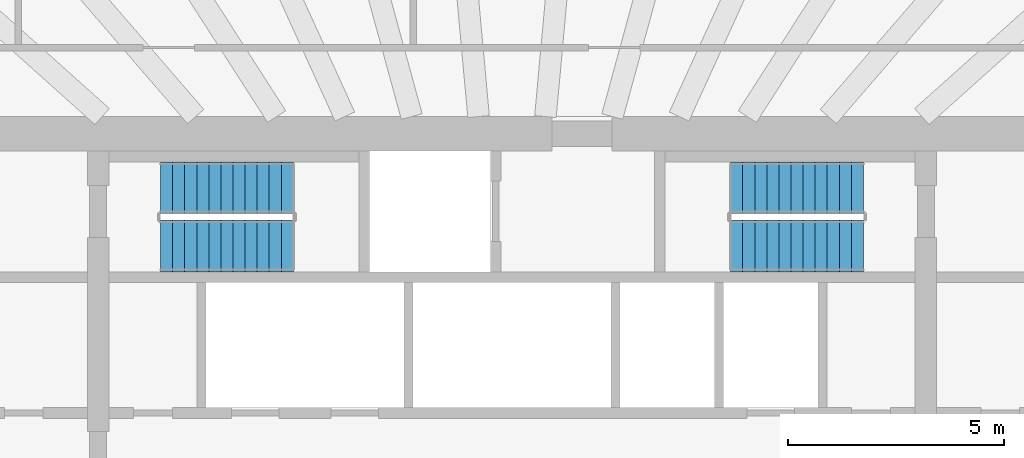
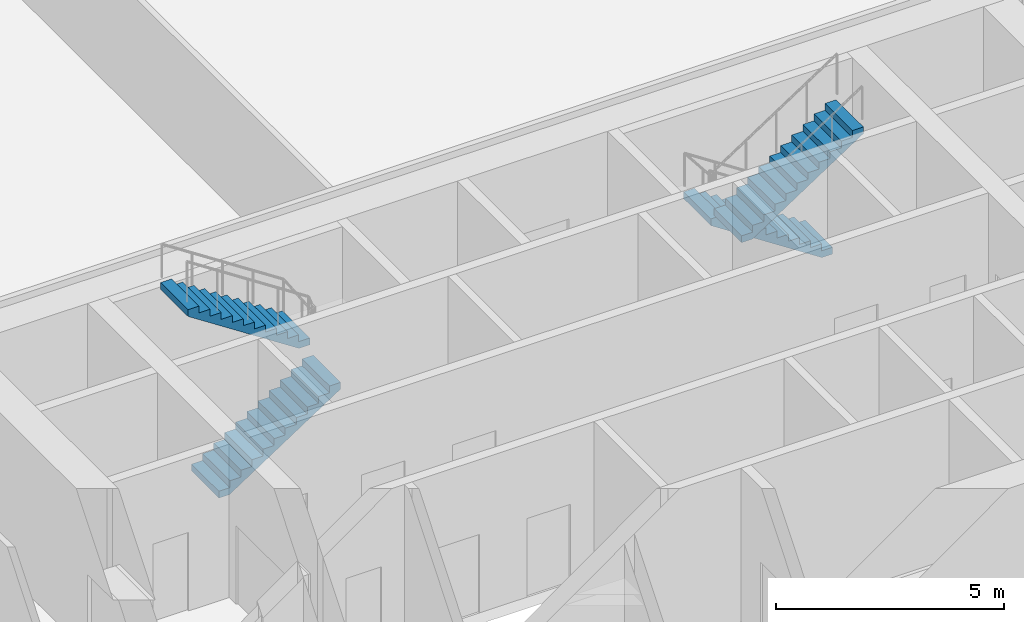
# One storey, part 8 of 12: 4 stair flights, 2 elements without a shape of their own.
"""IFC4 building model written with IfcOpenShell, lengths in metres."""

import ifcopenshell
import ifcopenshell.guid

model = None  # the IFC model being written
_history = None  # IfcOwnerHistory: only IFC2X3 demands one
_inside = {}  # id of a spatial element -> (the spatial element, [elements in it])
_under = {}  # id of a project, library or spatial element -> (it, [spatial elements below it])
_declared = {}  # id of a project -> (the project, [libraries it declares])
_typed = {}  # id of a type object -> (the type object, [elements of that type])
_made_of = {}  # id of a material, layer set ... -> (it, [elements and type objects made of it])


def new_model(schema):
    """Start an empty IFC model of exactly this schema.

    Asked for "IFC4X3", IfcOpenShell would pick the latest addendum, in which some entities
    have other attributes; the version numbers below select the first issue.
    IFC2X3 requires an IfcOwnerHistory on every rooted entity: one is made here for all.
    """
    global model, _history
    if schema == "IFC4X3":
        model = ifcopenshell.file(schema_version=(4, 3, 0, 0))
    else:
        model = ifcopenshell.file(schema=schema)
    _inside.clear()
    _under.clear()
    _declared.clear()
    _typed.clear()
    _made_of.clear()
    _history = None
    if model.schema == "IFC2X3":
        org = make("IfcOrganization", Name="unknown")
        user = make(
            "IfcPersonAndOrganization",
            ThePerson=make("IfcPerson", FamilyName="unknown"),
            TheOrganization=org,
        )
        app = make(
            "IfcApplication",
            ApplicationDeveloper=org,
            Version="unknown",
            ApplicationFullName="unknown",
            ApplicationIdentifier="unknown",
        )
        _history = make(
            "IfcOwnerHistory",
            OwningUser=user,
            OwningApplication=app,
            ChangeAction="ADDED",
            CreationDate=0,
        )
    return model


def make(cls, **values):
    """One entity of the class cls with the attributes given. An attribute that is None is left unset."""
    return model.create_entity(
        cls, **{name: value for name, value in values.items() if value is not None}
    )


def rooted(cls, **values):
    """An entity with a GlobalId (a new one), such as an element, a storey or a relation."""
    return make(cls, GlobalId=ifcopenshell.guid.new(), OwnerHistory=_history, **values)


def si_unit(unit_type, name, prefix=None):
    """IfcSIUnit, for example si_unit("LENGTHUNIT", "METRE", prefix="MILLI")."""
    return make("IfcSIUnit", UnitType=unit_type, Prefix=prefix, Name=name)


def assignment(units):
    """IfcUnitAssignment: the units of a project."""
    return None if units is None else make("IfcUnitAssignment", Units=units)


def point(xyz):
    """IfcCartesianPoint."""
    return None if xyz is None else make("IfcCartesianPoint", Coordinates=xyz)


def direction(xyz):
    """IfcDirection."""
    return None if xyz is None else make("IfcDirection", DirectionRatios=xyz)


def frame(location, z_axis=None, x_axis=None):
    """IfcAxis2Placement3D, a coordinate frame: its origin and axes. An axis left out is left unset."""
    return make(
        "IfcAxis2Placement3D",
        Location=point(location),
        Axis=direction(z_axis),
        RefDirection=direction(x_axis),
    )


def origin():
    """The frame at (0, 0, 0) with its axes left unset."""
    return frame((0.0, 0.0, 0.0))


def place(relative_to, where):
    """IfcLocalPlacement: puts the frame where relative to a parent placement (None: the world)."""
    return make(
        "IfcLocalPlacement", PlacementRelTo=relative_to, RelativePlacement=where
    )


def context(
    kind, dimensions, precision=None, world=None, true_north=None, identifier=None
):
    """IfcGeometricRepresentationContext, for example the 3D "Model" context."""
    return make(
        "IfcGeometricRepresentationContext",
        ContextIdentifier=identifier,
        ContextType=kind,
        CoordinateSpaceDimension=dimensions,
        Precision=precision,
        WorldCoordinateSystem=world,
        TrueNorth=true_north,
    )


def subcontext(parent, identifier, kind, view, scale=None):
    """IfcGeometricRepresentationSubContext, for example "Body" below "Model"."""
    return make(
        "IfcGeometricRepresentationSubContext",
        ContextIdentifier=identifier,
        ContextType=kind,
        ParentContext=parent,
        TargetScale=scale,
        TargetView=view,
    )


def project(units=None, contexts=None):
    """IfcProject with its units and contexts."""
    return rooted(
        "IfcProject",
        Name="project",
        RepresentationContexts=contexts,
        UnitsInContext=assignment(units),
    )


def spatial(cls, under=None, at=None, **own):
    """A site, building, storey or space (cls), placed at a placement, below another one or the project."""
    s = rooted(cls, ObjectPlacement=at, **own)
    if under is not None:
        _under.setdefault(under.id(), (under, []))[1].append(s)
    return s


def polyline(points):
    """IfcPolyline through the points."""
    return make("IfcPolyline", Points=[point(p) for p in points])


def outline(outer, holes=None, kind="AREA"):
    """IfcArbitraryClosedProfileDef: a profile drawn as a closed curve; with holes, ...WithVoids."""
    if holes is None:
        return make("IfcArbitraryClosedProfileDef", ProfileType=kind, OuterCurve=outer)
    return make(
        "IfcArbitraryProfileDefWithVoids",
        ProfileType=kind,
        OuterCurve=outer,
        InnerCurves=holes,
    )


def extrude(swept, where, along, depth):
    """IfcExtrudedAreaSolid: the profile swept, set in the frame where, extruded along a direction by depth."""
    return make(
        "IfcExtrudedAreaSolid",
        SweptArea=swept,
        Position=where,
        ExtrudedDirection=direction(along),
        Depth=depth,
    )


def shape(context_of_items, identifier, shape_type, items):
    """IfcShapeRepresentation: the items that make up one representation, for example the "Body"."""
    return make(
        "IfcShapeRepresentation",
        ContextOfItems=context_of_items,
        RepresentationIdentifier=identifier,
        RepresentationType=shape_type,
        Items=items,
    )


def material(Name=None, Category=None):
    """IfcMaterial."""
    return make("IfcMaterial", Name=Name, Category=Category)


def layer(
    of_material, thickness, ventilated=None, Name=None, Category=None, Priority=None
):
    """IfcMaterialLayer: one layer of a wall or slab, of a material (None: an air gap)."""
    return make(
        "IfcMaterialLayer",
        Material=of_material,
        LayerThickness=thickness,
        IsVentilated=ventilated,
        Name=Name,
        Category=Category,
        Priority=Priority,
    )


def layer_set(layers, Name=None):
    """IfcMaterialLayerSet."""
    return make("IfcMaterialLayerSet", MaterialLayers=layers, LayerSetName=Name)


def made_of(thing, what):
    """Note that an element or type object is made of a material, layer set ...; save() writes the relation."""
    if what is not None:
        _made_of.setdefault(what.id(), (what, []))[1].append(thing)
    return thing


def type_object(cls, material=None, **own):
    """A type object (cls), such as IfcWallType, which elements share."""
    return made_of(rooted(cls, **own), material)


def element(
    cls,
    number,
    at=None,
    inside=None,
    cuts=None,
    type_object=None,
    material=None,
    context=None,
    identifier="Body",
    shape_type=None,
    held_by="IfcProductDefinitionShape",
    body=None,
    shapes=None,
    **own,
):
    """One element of the class cls, such as IfcWall. Its Tag is "e" and its number.

    at: its placement. inside: the storey or other place that contains it. cuts: it is an
    opening in that element (IfcRelVoidsElement). A single representation is given by context,
    identifier, shape_type and body (its items); several are given by shapes. held_by: the class
    of the entity that holds the representations. save() writes the other relations.
    """
    e = rooted(cls, Tag="e%d" % number, ObjectPlacement=at, **own)
    if body is not None:
        shapes = [shape(context, identifier, shape_type, body)]
    if shapes is not None:
        e.Representation = make(held_by, Representations=shapes)
    if inside is not None:
        _inside.setdefault(inside.id(), (inside, []))[1].append(e)
    if cuts is not None:
        rooted(
            "IfcRelVoidsElement", RelatingBuildingElement=cuts, RelatedOpeningElement=e
        )
    if type_object is not None:
        _typed.setdefault(type_object.id(), (type_object, []))[1].append(e)
    return made_of(e, material)


def aggregate(whole, parts):
    """IfcRelAggregates: a whole, such as a stair, and the parts it consists of."""
    return rooted("IfcRelAggregates", RelatingObject=whole, RelatedObjects=parts)


def save(model, path):
    """Write the relations noted so far, then the file.

    IfcRelAggregates (storeys below a building ...), IfcRelContainedInSpatialStructure (elements
    in a storey), IfcRelDefinesByType, IfcRelAssociatesMaterial and IfcRelDeclares: one each for
    every whole, place, type object, material and project.
    """
    for whole, parts in _under.values():
        aggregate(whole, parts)
    for where, things in _inside.values():
        rooted(
            "IfcRelContainedInSpatialStructure",
            RelatedElements=things,
            RelatingStructure=where,
        )
    for kind, things in _typed.values():
        rooted("IfcRelDefinesByType", RelatedObjects=things, RelatingType=kind)
    for what, things in _made_of.values():
        rooted("IfcRelAssociatesMaterial", RelatedObjects=things, RelatingMaterial=what)
    for by, libraries in _declared.values():
        rooted("IfcRelDeclares", RelatingContext=by, RelatedDefinitions=libraries)
    model.write(path)


model = new_model("IFC4")

# Units and contexts
model_context = context("Model", 3, precision=1e-05, world=origin(), true_north=direction((0.0, 1.0)))
body_context = subcontext(model_context, "Body", "Model", "MODEL_VIEW")
ifc_project = project(units=[si_unit("LENGTHUNIT", "METRE"), si_unit("AREAUNIT", "SQUARE_METRE"), si_unit("VOLUMEUNIT", "CUBIC_METRE"), si_unit("PLANEANGLEUNIT", "RADIAN"), si_unit("MASSUNIT", "GRAM", prefix="KILO")], contexts=[model_context])

# Site, building, storey
site_placement = place(None, origin())
site = spatial("IfcSite", under=ifc_project, at=site_placement, CompositionType="ELEMENT")
building_placement = place(site_placement, origin())
building = spatial("IfcBuilding", under=site, at=building_placement, Name="Frailejon Research Tower", CompositionType="ELEMENT")
storey_placement = place(building_placement, frame((0.0, 0.0, 126.39990234375)))
storey = spatial("IfcBuildingStorey", under=building, at=storey_placement, Name="L27", CompositionType="ELEMENT", Elevation=126.39990234375)

# Stair, stair flights
ifc_material_1 = material(Name="Concrete C50/60", Category="concrete")
stair_type = type_object("IfcStairType", Name="Exit stair 24 risers", PredefinedType="HALF_TURN_STAIR", material=ifc_material_1)
stair_1_placement = place(storey_placement, origin())
stair_1 = element("IfcStair", 1, at=stair_1_placement, inside=storey, type_object=stair_type, Name="L27 Exit stair ST1", PredefinedType="HALF_TURN_STAIR")
ifc_material_2 = material(Name="Concrete C50/60", Category="concrete")
ifc_layer = layer(ifc_material_2, 0.14990234375)
ifc_layer_set = layer_set([ifc_layer], Name="Stair flight 12 risers")
stair_flight_type = type_object("IfcStairFlightType", Name="Stair flight 12 risers", PredefinedType="STRAIGHT", material=ifc_layer_set)
stair_flight_1_placement = place(storey_placement, frame((-8.14990234375, 5.5, 0.0), z_axis=(0.0, 0.0, 1.0), x_axis=(1.0, 0.0, 0.0)))
stair_flight_1 = element("IfcStairFlight", 2, at=stair_flight_1_placement, type_object=stair_flight_type, Name="ST1 flight 1", NumberOfRisers=12, NumberOfTreads=11, PredefinedType="STRAIGHT", RiserHeight=0.183333333, TreadLength=0.28, context=body_context, shape_type="SweptSolid", body=[
    extrude(outline(polyline([(0.0, 0.0), (0.0, 0.183349609375), (0.280029296875, 0.183349609375), (0.280029296875, 0.36669921875), (0.56005859375, 0.36669921875), (0.56005859375, 0.550048828125), (0.840087890625, 0.550048828125), (0.840087890625, 0.7333984375), (1.1201171875, 0.7333984375), (1.1201171875, 0.916748046875), (1.39990234375, 0.916748046875), (1.39990234375, 1.10009765625), (1.679931640625, 1.10009765625), (1.679931640625, 1.283447265625), (1.9599609375, 1.283447265625), (1.9599609375, 1.466552734375), (2.239990234375, 1.466552734375), (2.239990234375, 1.64990234375), (2.52001953125, 1.64990234375), (2.52001953125, 1.833251953125), (2.800048828125, 1.833251953125), (2.800048828125, 2.0166015625), (3.080078125, 2.0166015625), (3.080078125, 2.199951171875), (3.080078125, 1.83740234375), (0.273681640625, 0.0), (0.0, 0.0)])), frame((0.0, 0.60009765625, 0.0), z_axis=(0.0, -1.0, 0.0), x_axis=(1.0, 0.0, 0.0)), (0.0, 0.0, 1.0), 1.199951171875),
])
stair_flight_2_placement = place(storey_placement, frame((-5.070068359375, 6.85009765625, 2.2001953125), z_axis=(0.0, 0.0, 1.0), x_axis=(-1.0, 0.0, 0.0)))
stair_flight_2 = element("IfcStairFlight", 3, at=stair_flight_2_placement, type_object=stair_flight_type, Name="ST1 flight 2", NumberOfRisers=12, NumberOfTreads=11, PredefinedType="STRAIGHT", RiserHeight=0.183333333, TreadLength=0.28, context=body_context, shape_type="SweptSolid", body=[
    extrude(outline(polyline([(0.0, 0.0), (0.0, 0.183349609375), (0.280029296875, 0.183349609375), (0.280029296875, 0.36669921875), (0.56005859375, 0.36669921875), (0.56005859375, 0.550048828125), (0.840087890625, 0.550048828125), (0.840087890625, 0.7333984375), (1.1201171875, 0.7333984375), (1.1201171875, 0.916748046875), (1.39990234375, 0.916748046875), (1.39990234375, 1.10009765625), (1.679931640625, 1.10009765625), (1.679931640625, 1.283447265625), (1.9599609375, 1.283447265625), (1.9599609375, 1.466552734375), (2.239990234375, 1.466552734375), (2.239990234375, 1.64990234375), (2.52001953125, 1.64990234375), (2.52001953125, 1.833251953125), (2.800048828125, 1.833251953125), (2.800048828125, 2.0166015625), (3.080078125, 2.0166015625), (3.080078125, 2.199951171875), (3.080078125, 1.83740234375), (0.273681640625, 0.0), (0.0, 0.0)])), frame((0.0, 0.60009765625, 0.0), z_axis=(0.0, -1.0, 0.0), x_axis=(1.0, 0.0, 0.0)), (0.0, 0.0, 1.0), 1.199951171875),
])
aggregate(stair_1, [stair_flight_1, stair_flight_2])

stair_2_placement = place(storey_placement, origin())
stair_2 = element("IfcStair", 4, at=stair_2_placement, inside=storey, type_object=stair_type, Name="L27 Exit stair ST3", PredefinedType="HALF_TURN_STAIR")
stair_flight_3_placement = place(storey_placement, frame((8.14990234375, 6.85009765625, 0.0), z_axis=(0.0, 0.0, 1.0), x_axis=(-1.0, 0.0, 0.0)))
stair_flight_3 = element("IfcStairFlight", 5, at=stair_flight_3_placement, type_object=stair_flight_type, Name="ST3 flight 1", NumberOfRisers=12, NumberOfTreads=11, PredefinedType="STRAIGHT", RiserHeight=0.183333333, TreadLength=0.28, context=body_context, shape_type="SweptSolid", body=[
    extrude(outline(polyline([(0.0, 0.0), (0.0, 0.183349609375), (0.280029296875, 0.183349609375), (0.280029296875, 0.36669921875), (0.56005859375, 0.36669921875), (0.56005859375, 0.550048828125), (0.840087890625, 0.550048828125), (0.840087890625, 0.7333984375), (1.1201171875, 0.7333984375), (1.1201171875, 0.916748046875), (1.39990234375, 0.916748046875), (1.39990234375, 1.10009765625), (1.679931640625, 1.10009765625), (1.679931640625, 1.283447265625), (1.9599609375, 1.283447265625), (1.9599609375, 1.466552734375), (2.239990234375, 1.466552734375), (2.239990234375, 1.64990234375), (2.52001953125, 1.64990234375), (2.52001953125, 1.833251953125), (2.800048828125, 1.833251953125), (2.800048828125, 2.0166015625), (3.080078125, 2.0166015625), (3.080078125, 2.199951171875), (3.080078125, 1.83740234375), (0.273681640625, 0.0), (0.0, 0.0)])), frame((0.0, 0.60009765625, 0.0), z_axis=(0.0, -1.0, 0.0), x_axis=(1.0, 0.0, 0.0)), (0.0, 0.0, 1.0), 1.199951171875),
])
stair_flight_4_placement = place(storey_placement, frame((5.070068359375, 5.5, 2.2001953125), z_axis=(0.0, 0.0, 1.0), x_axis=(1.0, 0.0, 0.0)))
stair_flight_4 = element("IfcStairFlight", 6, at=stair_flight_4_placement, type_object=stair_flight_type, Name="ST3 flight 2", NumberOfRisers=12, NumberOfTreads=11, PredefinedType="STRAIGHT", RiserHeight=0.183333333, TreadLength=0.28, context=body_context, shape_type="SweptSolid", body=[
    extrude(outline(polyline([(0.0, 0.0), (0.0, 0.183349609375), (0.280029296875, 0.183349609375), (0.280029296875, 0.36669921875), (0.56005859375, 0.36669921875), (0.56005859375, 0.550048828125), (0.840087890625, 0.550048828125), (0.840087890625, 0.7333984375), (1.1201171875, 0.7333984375), (1.1201171875, 0.916748046875), (1.39990234375, 0.916748046875), (1.39990234375, 1.10009765625), (1.679931640625, 1.10009765625), (1.679931640625, 1.283447265625), (1.9599609375, 1.283447265625), (1.9599609375, 1.466552734375), (2.239990234375, 1.466552734375), (2.239990234375, 1.64990234375), (2.52001953125, 1.64990234375), (2.52001953125, 1.833251953125), (2.800048828125, 1.833251953125), (2.800048828125, 2.0166015625), (3.080078125, 2.0166015625), (3.080078125, 2.199951171875), (3.080078125, 1.83740234375), (0.273681640625, 0.0), (0.0, 0.0)])), frame((0.0, 0.60009765625, 0.0), z_axis=(0.0, -1.0, 0.0), x_axis=(1.0, 0.0, 0.0)), (0.0, 0.0, 1.0), 1.199951171875),
])
aggregate(stair_2, [stair_flight_3, stair_flight_4])

save(model, "model.ifc")
